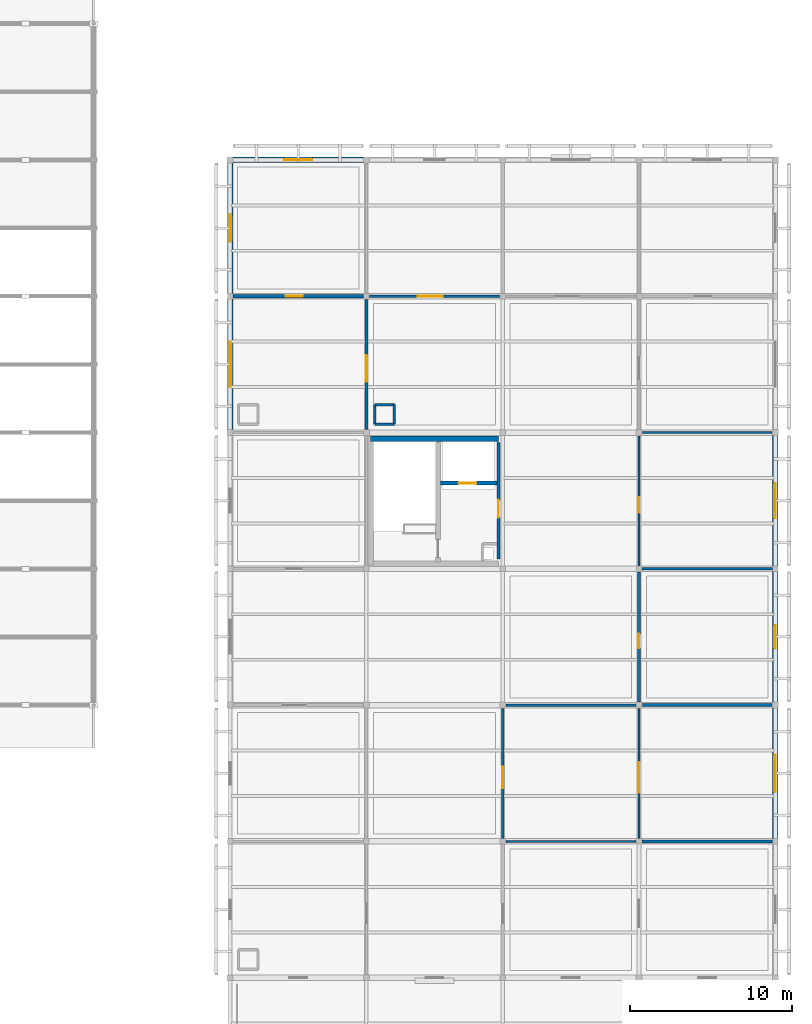
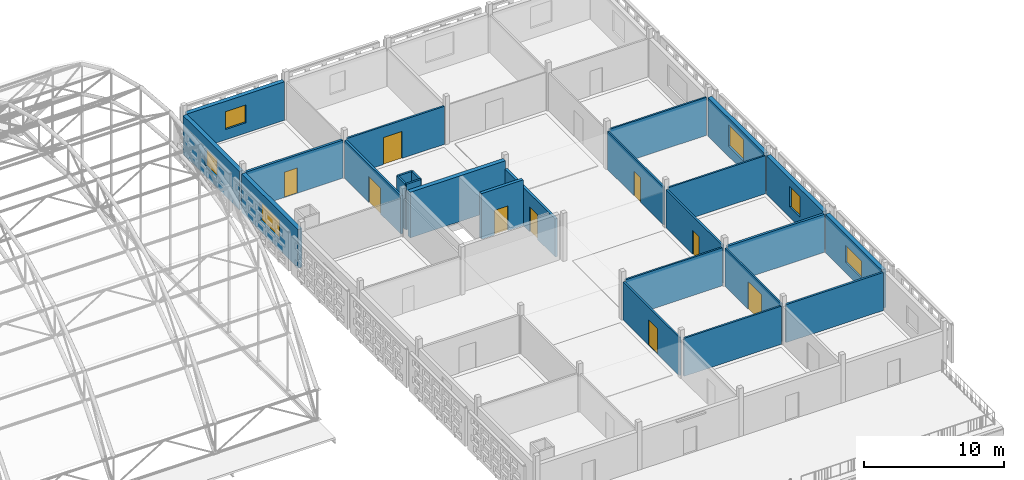
# One storey, part 75 of 103: 26 walls, 9 doors, 6 windows, 15 openings.
"""IFC4 building model written with IfcOpenShell, lengths in metres."""

from ifc_helpers import new_model, si_unit, direction, frame, frame_2d, origin, place, context, subcontext, project, spatial, rectangle, extrude, material, layer, layer_set, type_object, element, fill, save


model = new_model("IFC4")

# Units and contexts
model_context = context("Model", 3, precision=1e-05, world=origin(), true_north=direction((0.0, 1.0)))
body_context = subcontext(model_context, "Body", "Model", "MODEL_VIEW")
ifc_project = project(units=[si_unit("LENGTHUNIT", "METRE"), si_unit("AREAUNIT", "SQUARE_METRE"), si_unit("VOLUMEUNIT", "CUBIC_METRE"), si_unit("PLANEANGLEUNIT", "RADIAN"), si_unit("MASSUNIT", "GRAM", prefix="KILO")], contexts=[model_context])

# Site, building, storey
site_placement = place(None, origin())
site = spatial("IfcSite", under=ifc_project, at=site_placement, CompositionType="ELEMENT")
building_placement = place(site_placement, origin())
building = spatial("IfcBuilding", under=site, at=building_placement, Name="Varnapada Polytechnic", CompositionType="ELEMENT")
storey_placement = place(building_placement, frame((0.0, 0.0, 18.0)))
storey = spatial("IfcBuildingStorey", under=building, at=storey_placement, Name="L04", CompositionType="ELEMENT", Elevation=18.0)

# Wall, opening, door
ifc_material_1 = material(Name="Autoclaved Aerated Concrete Block AAC-600", Category="concrete")
ifc_layer_1 = layer(ifc_material_1, 0.199951171875)
ifc_layer_set_1 = layer_set([ifc_layer_1], Name="Autoclaved Aerated Concrete Block AAC-600")
wall_type_1 = type_object("IfcWallType", Name="Interior Wall IW-01", PredefinedType="PARTITIONING", material=ifc_layer_set_1)
wall_1_placement = place(storey_placement, frame((159.340087890625, 100.199951171875, 0.0), z_axis=(0.0, 0.0, 1.0), x_axis=(0.0, -1.0, 0.0)))
wall_1 = element("IfcWall", 1, at=wall_1_placement, inside=storey, type_object=wall_type_1, Name="L04 C5 firefighting lobby east wall", PredefinedType="PARTITIONING", context=body_context, shape_type="SweptSolid", body=[
    extrude(rectangle(XDim=7.199951171875, YDim=0.199951171875, at=frame_2d((3.60009765625, 0.0))), origin(), (0.0, 0.0, 1.0), 3.320068359375),
])
opening_1_placement = place(wall_1_placement, frame((3.550048828125, 0.0, 0.0)))
opening_1 = element("IfcOpeningElement", 2, at=opening_1_placement, cuts=wall_1, Name="Opening D-1265", PredefinedType="OPENING", context=body_context, shape_type="SweptSolid", body=[
    extrude(rectangle(XDim=1.10009765625, YDim=2.14990234375, at=frame_2d((0.550048828125, 1.074951171875))), frame((0.0, 0.10986328125, 0.0), z_axis=(0.0, -1.0, 0.0), x_axis=(1.0, 0.0, 0.0)), (0.0, 0.0, 1.0), 0.219970703125),
])
ifc_material_2 = material(Name="Galvanized Steel Z275", Category="steel")
door_type_1 = type_object("IfcDoorType", Name="Interior Door ID-01", OperationType="NOTDEFINED", PredefinedType="DOOR", material=ifc_material_2)
door_1_placement = place(opening_1_placement, frame((1.10009765625, 0.0, 0.0), z_axis=(0.0, 0.0, 1.0), x_axis=(-1.0, 0.0, 0.0)))
door_1 = element("IfcDoor", 3, at=door_1_placement, inside=storey, type_object=door_type_1, Name="L04 C5 lobby fire door D-1265", OperationType="SINGLE_SWING_LEFT", OverallHeight=2.14990234375, OverallWidth=1.10009765625, PredefinedType="DOOR", context=body_context, shape_type="SweptSolid", body=[
    extrude(rectangle(XDim=1.10009765625, YDim=2.14990234375, at=frame_2d((0.550048828125, 1.074951171875))), frame((0.0, 0.02490234375, 0.0), z_axis=(0.0, -1.0, 0.0), x_axis=(1.0, 0.0, 0.0)), (0.0, 0.0, 1.0), 0.050048828125),
])
fill(opening_1, door_1)

# Walls
ifc_layer_2 = layer(ifc_material_1, 0.14990234375)
ifc_layer_set_2 = layer_set([ifc_layer_2], Name="Autoclaved Aerated Concrete Block AAC-600")
wall_type_2 = type_object("IfcWallType", Name="Interior Wall IW-02", PredefinedType="PARTITIONING", material=ifc_layer_set_2)
for number, where, z_axis, x_axis, name in (
    (4, (151.719970703125, 101.320068359375, 0.0), (0.0, 0.0, 1.0), (1.0, 0.0, 0.0), "L04 enclosed service riser wall (19,13) S"),
    (5, (152.919921875, 101.320068359375, 0.0), (0.0, 0.0, 1.0), (0.0, 1.0, 0.0), "L04 enclosed service riser wall (19,13) E"),
    (6, (152.919921875, 102.52001953125, 0.0), (0.0, 0.0, 1.0), (-1.0, 0.0, 0.0), "L04 enclosed service riser wall (19,13) N"),
    (7, (151.719970703125, 102.52001953125, 0.0), (0.0, 0.0, 1.0), (0.0, -1.0, 0.0), "L04 enclosed service riser wall (19,13) W"),
):
    element("IfcWall", number, at=place(storey_placement, frame(where, z_axis=z_axis, x_axis=x_axis)), inside=storey, type_object=wall_type_2, Name=name, PredefinedType="PARTITIONING", context=body_context, shape_type="SweptSolid", body=[
        extrude(rectangle(XDim=1.199951171875, YDim=0.14990234375, at=frame_2d((0.60009765625, 0.0))), origin(), (0.0, 0.0, 1.0), 3.97998046875),
    ])
wall_2_placement = place(storey_placement, frame((159.7900390625, 75.60009765625, 0.0), z_axis=(0.0, 0.0, 1.0), x_axis=(1.0, 0.0, 0.0)))
element("IfcWall", 8, at=wall_2_placement, inside=storey, type_object=wall_type_2, Name="L04 interior partition IW-L04-19-08-H", PredefinedType="PARTITIONING", context=body_context, shape_type="SweptSolid", body=[
    extrude(rectangle(XDim=8.02001953125, YDim=0.14990234375, at=frame_2d((4.010009765625, 0.0))), origin(), (0.0, 0.0, 1.0), 3.320068359375),
])

# Wall, opening, door
ifc_material_3 = material(Name="Gypsum Plasterboard Acoustic Partition")
ifc_layer_3 = layer(ifc_material_3, 0.125)
ifc_layer_set_3 = layer_set([ifc_layer_3], Name="Gypsum Plasterboard Acoustic Partition")
wall_type_3 = type_object("IfcWallType", Name="Interior Wall IW-03", PredefinedType="PARTITIONING", material=ifc_layer_set_3)
wall_3_placement = place(storey_placement, frame((168.0, 75.7900390625, 0.0), z_axis=(0.0, 0.0, 1.0), x_axis=(0.0, 1.0, 0.0)))
wall_3 = element("IfcWall", 9, at=wall_3_placement, inside=storey, type_object=wall_type_3, Name="L04 interior partition IW-L04-19-09-V", PredefinedType="PARTITIONING", context=body_context, shape_type="SweptSolid", body=[
    extrude(rectangle(XDim=8.010009765625, YDim=0.125, at=frame_2d((4.0048828125, 0.0))), origin(), (0.0, 0.0, 1.0), 3.320068359375),
])
opening_2_placement = place(wall_3_placement, frame((2.800048828125, 0.0, 0.0)))
opening_2 = element("IfcOpeningElement", 10, at=opening_2_placement, cuts=wall_3, Name="Opening D-1304", PredefinedType="OPENING", context=body_context, shape_type="SweptSolid", body=[
    extrude(rectangle(XDim=1.89990234375, YDim=2.39990234375, at=frame_2d((0.949951171875, 1.199951171875))), frame((0.0, 0.072509765625, 0.0), z_axis=(0.0, -1.0, 0.0), x_axis=(1.0, 0.0, 0.0)), (0.0, 0.0, 1.0), 0.14501953125),
])
ifc_material_4 = material(Name="Heavy Workshop Double Steel Door", Category="steel")
door_type_2 = type_object("IfcDoorType", Name="Interior Door ID-14", OperationType="NOTDEFINED", PredefinedType="DOOR", material=ifc_material_4)
door_2_placement = place(opening_2_placement, frame((1.89990234375, 0.0, 0.0), z_axis=(0.0, 0.0, 1.0), x_axis=(-1.0, 0.0, 0.0)))
door_2 = element("IfcDoor", 11, at=door_2_placement, inside=storey, type_object=door_type_2, Name="L04 interior room door D-1304", OperationType="SINGLE_SWING_LEFT", OverallHeight=2.39990234375, OverallWidth=1.89990234375, PredefinedType="DOOR", context=body_context, shape_type="SweptSolid", body=[
    extrude(rectangle(XDim=1.89990234375, YDim=2.39990234375, at=frame_2d((0.949951171875, 1.199951171875))), frame((0.0, 0.02490234375, 0.0), z_axis=(0.0, -1.0, 0.0), x_axis=(1.0, 0.0, 0.0)), (0.0, 0.0, 1.0), 0.050048828125),
])
fill(opening_2, door_2)

# Wall
ifc_material_5 = material(Name="Moisture-Resistant Cement Board Partition")
ifc_layer_4 = layer(ifc_material_5, 0.139892578125)
ifc_layer_set_4 = layer_set([ifc_layer_4], Name="Moisture-Resistant Cement Board Partition")
wall_type_4 = type_object("IfcWallType", Name="Interior Wall IW-04", PredefinedType="PARTITIONING", material=ifc_layer_set_4)
wall_4_placement = place(storey_placement, frame((159.800048828125, 84.0, 0.0), z_axis=(0.0, 0.0, 1.0), x_axis=(1.0, 0.0, 0.0)))
element("IfcWall", 12, at=wall_4_placement, inside=storey, type_object=wall_type_4, Name="L04 interior partition IW-L04-19-09-H", PredefinedType="PARTITIONING", context=body_context, shape_type="SweptSolid", body=[
    extrude(rectangle(XDim=8.0, YDim=0.139892578125, at=frame_2d((4.0, 0.0))), origin(), (0.0, 0.0, 1.0), 3.320068359375),
])

# Wall, opening, door
wall_5_placement = place(storey_placement, frame((168.0, 92.590087890625, 0.0), z_axis=(0.0, 0.0, 1.0), x_axis=(0.0, 1.0, 0.0)))
wall_5 = element("IfcWall", 13, at=wall_5_placement, inside=storey, type_object=wall_type_4, Name="L04 interior partition IW-L04-19-11-V", PredefinedType="PARTITIONING", context=body_context, shape_type="SweptSolid", body=[
    extrude(rectangle(XDim=8.010009765625, YDim=0.139892578125, at=frame_2d((4.0048828125, 0.0))), origin(), (0.0, 0.0, 1.0), 3.320068359375),
])
opening_3_placement = place(wall_5_placement, frame((3.27490234375, 0.0, 0.0)))
opening_3 = element("IfcOpeningElement", 14, at=opening_3_placement, cuts=wall_5, Name="Opening D-1306", PredefinedType="OPENING", context=body_context, shape_type="SweptSolid", body=[
    extrude(rectangle(XDim=0.949951171875, YDim=2.14990234375, at=frame_2d((0.47509765625, 1.074951171875))), frame((0.0, 0.079833984375, 0.0), z_axis=(0.0, -1.0, 0.0), x_axis=(1.0, 0.0, 0.0)), (0.0, 0.0, 1.0), 0.159912109375),
])
ifc_material_6 = material(Name="Moisture-Resistant HPL Timber", Category="wood")
door_type_3 = type_object("IfcDoorType", Name="Interior Door ID-03", OperationType="NOTDEFINED", PredefinedType="DOOR", material=ifc_material_6)
door_3_placement = place(opening_3_placement, origin())
door_3 = element("IfcDoor", 15, at=door_3_placement, inside=storey, type_object=door_type_3, Name="L04 interior room door D-1306", OperationType="SINGLE_SWING_LEFT", OverallHeight=2.14990234375, OverallWidth=0.949951171875, PredefinedType="DOOR", context=body_context, shape_type="SweptSolid", body=[
    extrude(rectangle(XDim=0.949951171875, YDim=2.14990234375, at=frame_2d((0.47509765625, 1.074951171875))), frame((0.0, 0.02490234375, 0.0), z_axis=(0.0, -1.0, 0.0), x_axis=(1.0, 0.0, 0.0)), (0.0, 0.0, 1.0), 0.050048828125),
])
fill(opening_3, door_3)

# Walls
wall_6_placement = place(storey_placement, frame((168.18994140625, 92.39990234375, 0.0), z_axis=(0.0, 0.0, 1.0), x_axis=(1.0, 0.0, 0.0)))
element("IfcWall", 16, at=wall_6_placement, inside=storey, type_object=wall_type_4, Name="L04 interior partition IW-L04-20-10-H", PredefinedType="PARTITIONING", context=body_context, shape_type="SweptSolid", body=[
    extrude(rectangle(XDim=8.02001953125, YDim=0.139892578125, at=frame_2d((4.010009765625, 0.0))), origin(), (0.0, 0.0, 1.0), 3.320068359375),
])
wall_7_placement = place(storey_placement, frame((168.199951171875, 100.800048828125, 0.0), z_axis=(0.0, 0.0, 1.0), x_axis=(1.0, 0.0, 0.0)))
element("IfcWall", 17, at=wall_7_placement, inside=storey, type_object=wall_type_4, Name="L04 interior partition IW-L04-20-11-H", PredefinedType="PARTITIONING", context=body_context, shape_type="SweptSolid", body=[
    extrude(rectangle(XDim=8.0, YDim=0.139892578125, at=frame_2d((4.0, 0.0))), origin(), (0.0, 0.0, 1.0), 3.320068359375),
])

# Wall, opening, door
ifc_material_7 = material(Name="Cross-laminated timber CLT C24", Category="wood")
ifc_layer_5 = layer(ifc_material_7, 0.159912109375)
ifc_layer_set_5 = layer_set([ifc_layer_5], Name="Cross-laminated timber CLT C24")
wall_type_5 = type_object("IfcWallType", Name="Interior Wall IW-05", PredefinedType="PARTITIONING", material=ifc_layer_set_5)
wall_8_placement = place(storey_placement, frame((168.0, 84.199951171875, 0.0), z_axis=(0.0, 0.0, 1.0), x_axis=(0.0, 1.0, 0.0)))
wall_8 = element("IfcWall", 18, at=wall_8_placement, inside=storey, type_object=wall_type_5, Name="L04 interior partition IW-L04-19-10-V", PredefinedType="PARTITIONING", context=body_context, shape_type="SweptSolid", body=[
    extrude(rectangle(XDim=8.010009765625, YDim=0.159912109375, at=frame_2d((4.0048828125, 0.0))), origin(), (0.0, 0.0, 1.0), 3.320068359375),
])
opening_4_placement = place(wall_8_placement, frame((3.300048828125, 0.0, 0.0)))
opening_4 = element("IfcOpeningElement", 19, at=opening_4_placement, cuts=wall_8, Name="Opening D-1305", PredefinedType="OPENING", context=body_context, shape_type="SweptSolid", body=[
    extrude(rectangle(XDim=0.89990234375, YDim=2.10009765625, at=frame_2d((0.449951171875, 1.050048828125))), frame((0.0, 0.08984375, 0.0), z_axis=(0.0, -1.0, 0.0), x_axis=(1.0, 0.0, 0.0)), (0.0, 0.0, 1.0), 0.179931640625),
])
door_type_4 = type_object("IfcDoorType", Name="Interior Door ID-15", OperationType="NOTDEFINED", PredefinedType="DOOR", material=ifc_material_6)
door_4_placement = place(opening_4_placement, origin())
door_4 = element("IfcDoor", 20, at=door_4_placement, inside=storey, type_object=door_type_4, Name="L04 interior room door D-1305", OperationType="SINGLE_SWING_RIGHT", OverallHeight=2.10009765625, OverallWidth=0.89990234375, PredefinedType="DOOR", context=body_context, shape_type="SweptSolid", body=[
    extrude(rectangle(XDim=0.89990234375, YDim=2.10009765625, at=frame_2d((0.449951171875, 1.050048828125))), frame((0.0, 0.02490234375, 0.0), z_axis=(0.0, -1.0, 0.0), x_axis=(1.0, 0.0, 0.0)), (0.0, 0.0, 1.0), 0.050048828125),
])
fill(opening_4, door_4)

ifc_material_8 = material(Name="Double-Layer Fireboard Workshop Wall")
ifc_layer_6 = layer(ifc_material_8, 0.169921875)
ifc_layer_set_6 = layer_set([ifc_layer_6], Name="Double-Layer Fireboard Workshop Wall")
wall_type_6 = type_object("IfcWallType", Name="Interior Wall IW-10", PredefinedType="PARTITIONING", material=ifc_layer_set_6)
wall_9_placement = place(storey_placement, frame((151.199951171875, 101.0, 0.0), z_axis=(0.0, 0.0, 1.0), x_axis=(0.0, 1.0, 0.0)))
wall_9 = element("IfcWall", 21, at=wall_9_placement, inside=storey, type_object=wall_type_6, Name="L04 interior partition IW-L04-17-12-V", PredefinedType="PARTITIONING", context=body_context, shape_type="SweptSolid", body=[
    extrude(rectangle(XDim=8.010009765625, YDim=0.169921875, at=frame_2d((4.0048828125, 0.0))), origin(), (0.0, 0.0, 1.0), 3.320068359375),
])
opening_5_placement = place(wall_9_placement, frame((2.925048828125, 0.0, 0.0)))
opening_5 = element("IfcOpeningElement", 22, at=opening_5_placement, cuts=wall_9, Name="Opening D-1298", PredefinedType="OPENING", context=body_context, shape_type="SweptSolid", body=[
    extrude(rectangle(XDim=1.64990234375, YDim=2.25, at=frame_2d((0.824951171875, 1.125))), frame((0.0, 0.094970703125, 0.0), z_axis=(0.0, -1.0, 0.0), x_axis=(1.0, 0.0, 0.0)), (0.0, 0.0, 1.0), 0.18994140625),
])
ifc_material_9 = material(Name="Solid Teak Hardwood Timber", Category="wood")
door_type_5 = type_object("IfcDoorType", Name="Interior Door ID-08", OperationType="NOTDEFINED", PredefinedType="DOOR", material=ifc_material_9)
door_5_placement = place(opening_5_placement, frame((1.64990234375, 0.0, 0.0), z_axis=(0.0, 0.0, 1.0), x_axis=(-1.0, 0.0, 0.0)))
door_5 = element("IfcDoor", 23, at=door_5_placement, inside=storey, type_object=door_type_5, Name="L04 interior room door D-1298", OperationType="SINGLE_SWING_LEFT", OverallHeight=2.25, OverallWidth=1.64990234375, PredefinedType="DOOR", context=body_context, shape_type="SweptSolid", body=[
    extrude(rectangle(XDim=1.64990234375, YDim=2.25, at=frame_2d((0.824951171875, 1.125))), frame((0.0, 0.02490234375, 0.0), z_axis=(0.0, -1.0, 0.0), x_axis=(1.0, 0.0, 0.0)), (0.0, 0.0, 1.0), 0.050048828125),
])
fill(opening_5, door_5)

# Wall
wall_10_placement = place(storey_placement, frame((168.18994140625, 75.60009765625, 0.0), z_axis=(0.0, 0.0, 1.0), x_axis=(1.0, 0.0, 0.0)))
element("IfcWall", 24, at=wall_10_placement, inside=storey, type_object=wall_type_6, Name="L04 interior partition IW-L04-20-08-H", PredefinedType="PARTITIONING", context=body_context, shape_type="SweptSolid", body=[
    extrude(rectangle(XDim=8.02001953125, YDim=0.169921875, at=frame_2d((4.010009765625, 0.0))), origin(), (0.0, 0.0, 1.0), 3.320068359375),
])

# Wall, opening, door
ifc_material_10 = material(Name="Insulated Masonry Plant Room Wall", Category="masonry")
ifc_layer_7 = layer(ifc_material_10, 0.18994140625)
ifc_layer_set_7 = layer_set([ifc_layer_7], Name="Insulated Masonry Plant Room Wall")
wall_type_7 = type_object("IfcWallType", Name="Interior Wall IW-11", PredefinedType="PARTITIONING", material=ifc_layer_set_7)
wall_11_placement = place(storey_placement, frame((142.989990234375, 109.199951171875, 0.0), z_axis=(0.0, 0.0, 1.0), x_axis=(1.0, 0.0, 0.0)))
wall_11 = element("IfcWall", 25, at=wall_11_placement, inside=storey, type_object=wall_type_7, Name="L04 interior partition IW-L04-17-12-H", PredefinedType="PARTITIONING", context=body_context, shape_type="SweptSolid", body=[
    extrude(rectangle(XDim=8.02001953125, YDim=0.18994140625, at=frame_2d((4.010009765625, 0.0))), origin(), (0.0, 0.0, 1.0), 3.320068359375),
])
opening_6_placement = place(wall_11_placement, frame((3.22509765625, 0.0, 0.0)))
opening_6 = element("IfcOpeningElement", 26, at=opening_6_placement, cuts=wall_11, Name="Opening D-1299", PredefinedType="OPENING", context=body_context, shape_type="SweptSolid", body=[
    extrude(rectangle(XDim=1.050048828125, YDim=2.199951171875, at=frame_2d((0.52490234375, 1.10009765625))), frame((0.0, 0.10498046875, 0.0), z_axis=(0.0, -1.0, 0.0), x_axis=(1.0, 0.0, 0.0)), (0.0, 0.0, 1.0), 0.2099609375),
])
door_type_6 = type_object("IfcDoorType", Name="Interior Door ID-09", OperationType="NOTDEFINED", PredefinedType="DOOR", material=ifc_material_9)
door_6_placement = place(opening_6_placement, origin())
door_6 = element("IfcDoor", 27, at=door_6_placement, inside=storey, type_object=door_type_6, Name="L04 interior room door D-1299", OperationType="SINGLE_SWING_RIGHT", OverallHeight=2.199951171875, OverallWidth=1.050048828125, PredefinedType="DOOR", context=body_context, shape_type="SweptSolid", body=[
    extrude(rectangle(XDim=1.050048828125, YDim=2.199951171875, at=frame_2d((0.52490234375, 1.10009765625))), frame((0.0, 0.02490234375, 0.0), z_axis=(0.0, -1.0, 0.0), x_axis=(1.0, 0.0, 0.0)), (0.0, 0.0, 1.0), 0.050048828125),
])
fill(opening_6, door_6)

# Wall
wall_12_placement = place(storey_placement, frame((168.199951171875, 84.0, 0.0), z_axis=(0.0, 0.0, 1.0), x_axis=(1.0, 0.0, 0.0)))
element("IfcWall", 28, at=wall_12_placement, inside=storey, type_object=wall_type_7, Name="L04 interior partition IW-L04-20-09-H", PredefinedType="PARTITIONING", context=body_context, shape_type="SweptSolid", body=[
    extrude(rectangle(XDim=8.0, YDim=0.18994140625, at=frame_2d((4.0, 0.0))), origin(), (0.0, 0.0, 1.0), 3.320068359375),
])

# Wall, opening, door
ifc_material_11 = material(Name="Ceramic-Tiled Wet Laboratory Wall")
ifc_layer_8 = layer(ifc_material_11, 0.14501953125)
ifc_layer_set_8 = layer_set([ifc_layer_8], Name="Ceramic-Tiled Wet Laboratory Wall")
wall_type_8 = type_object("IfcWallType", Name="Interior Wall IW-14", PredefinedType="PARTITIONING", material=ifc_layer_set_8)
wall_13_placement = place(storey_placement, frame((159.60009765625, 75.7900390625, 0.0), z_axis=(0.0, 0.0, 1.0), x_axis=(0.0, 1.0, 0.0)))
wall_13 = element("IfcWall", 29, at=wall_13_placement, inside=storey, type_object=wall_type_8, Name="L04 interior partition IW-L04-18-09-V", PredefinedType="PARTITIONING", context=body_context, shape_type="SweptSolid", body=[
    extrude(rectangle(XDim=8.010009765625, YDim=0.14501953125, at=frame_2d((4.0048828125, 0.0))), origin(), (0.0, 0.0, 1.0), 3.320068359375),
])
opening_7_placement = place(wall_13_placement, frame((3.10009765625, 0.0, 0.0)))
opening_7 = element("IfcOpeningElement", 30, at=opening_7_placement, cuts=wall_13, Name="Opening D-1301", PredefinedType="OPENING", context=body_context, shape_type="SweptSolid", body=[
    extrude(rectangle(XDim=1.300048828125, YDim=2.199951171875, at=frame_2d((0.64990234375, 1.10009765625))), frame((0.0, 0.08251953125, 0.0), z_axis=(0.0, -1.0, 0.0), x_axis=(1.0, 0.0, 0.0)), (0.0, 0.0, 1.0), 0.1650390625),
])
ifc_material_12 = material(Name="Acoustic Laminated Timber Leaf", Category="wood")
door_type_7 = type_object("IfcDoorType", Name="Interior Door ID-11", OperationType="NOTDEFINED", PredefinedType="DOOR", material=ifc_material_12)
door_7_placement = place(opening_7_placement, frame((1.300048828125, 0.0, 0.0), z_axis=(0.0, 0.0, 1.0), x_axis=(-1.0, 0.0, 0.0)))
door_7 = element("IfcDoor", 31, at=door_7_placement, inside=storey, type_object=door_type_7, Name="L04 interior room door D-1301", OperationType="SINGLE_SWING_RIGHT", OverallHeight=2.199951171875, OverallWidth=1.300048828125, PredefinedType="DOOR", context=body_context, shape_type="SweptSolid", body=[
    extrude(rectangle(XDim=1.300048828125, YDim=2.199951171875, at=frame_2d((0.64990234375, 1.10009765625))), frame((0.0, 0.02490234375, 0.0), z_axis=(0.0, -1.0, 0.0), x_axis=(1.0, 0.0, 0.0)), (0.0, 0.0, 1.0), 0.050048828125),
])
fill(opening_7, door_7)

ifc_material_13 = material(Name="Perforated Timber-Lined Seminar Wall", Category="wood")
ifc_layer_9 = layer(ifc_material_13, 0.155029296875)
ifc_layer_set_9 = layer_set([ifc_layer_9], Name="Perforated Timber-Lined Seminar Wall")
wall_type_9 = type_object("IfcWallType", Name="Interior Wall IW-15", PredefinedType="PARTITIONING", material=ifc_layer_set_9)
wall_14_placement = place(storey_placement, frame((151.389892578125, 109.199951171875, 0.0), z_axis=(0.0, 0.0, 1.0), x_axis=(1.0, 0.0, 0.0)))
wall_14 = element("IfcWall", 32, at=wall_14_placement, inside=storey, type_object=wall_type_9, Name="L04 interior partition IW-L04-18-12-H", PredefinedType="PARTITIONING", context=body_context, shape_type="SweptSolid", body=[
    extrude(rectangle(XDim=8.02001953125, YDim=0.155029296875, at=frame_2d((4.010009765625, 0.0))), origin(), (0.0, 0.0, 1.0), 3.320068359375),
])
opening_8_placement = place(wall_14_placement, frame((2.97509765625, 0.0, 0.0)))
opening_8 = element("IfcOpeningElement", 33, at=opening_8_placement, cuts=wall_14, Name="Opening D-1302", PredefinedType="OPENING", context=body_context, shape_type="SweptSolid", body=[
    extrude(rectangle(XDim=1.550048828125, YDim=2.35009765625, at=frame_2d((0.77490234375, 1.175048828125))), frame((0.0, 0.08740234375, 0.0), z_axis=(0.0, -1.0, 0.0), x_axis=(1.0, 0.0, 0.0)), (0.0, 0.0, 1.0), 0.175048828125),
])
door_type_8 = type_object("IfcDoorType", Name="Interior Door ID-12", OperationType="NOTDEFINED", PredefinedType="DOOR", material=ifc_material_2)
door_8_placement = place(opening_8_placement, origin())
door_8 = element("IfcDoor", 34, at=door_8_placement, inside=storey, type_object=door_type_8, Name="L04 interior room door D-1302", OperationType="SINGLE_SWING_LEFT", OverallHeight=2.35009765625, OverallWidth=1.550048828125, PredefinedType="DOOR", context=body_context, shape_type="SweptSolid", body=[
    extrude(rectangle(XDim=1.550048828125, YDim=2.35009765625, at=frame_2d((0.77490234375, 1.175048828125))), frame((0.0, 0.02490234375, 0.0), z_axis=(0.0, -1.0, 0.0), x_axis=(1.0, 0.0, 0.0)), (0.0, 0.0, 1.0), 0.050048828125),
])
fill(opening_8, door_8)

# Wall
ifc_material_14 = material(Name="Concrete C40/50", Category="concrete")
ifc_layer_10 = layer(ifc_material_14, 0.35009765625)
ifc_layer_set_10 = layer_set([ifc_layer_10], Name="Concrete C40/50")
wall_type_10 = type_object("IfcWallType", Name="Interior Wall SW-01", PredefinedType="SHEAR", material=ifc_layer_set_10)
wall_15_placement = place(storey_placement, frame((151.465087890625, 100.419921875, 0.0), z_axis=(0.0, 0.0, 1.0), x_axis=(1.0, 0.0, 0.0)))
element("IfcWall", 35, at=wall_15_placement, inside=storey, type_object=wall_type_10, Name="L04 C5 core north shear wall", PredefinedType="SHEAR", context=body_context, shape_type="SweptSolid", body=[
    extrude(rectangle(XDim=7.875, YDim=0.35009765625, at=frame_2d((3.9375, 0.0))), origin(), (0.0, 0.0, 1.0), 3.97998046875),
])

# Wall, opening, door
ifc_layer_11 = layer(ifc_material_14, 0.25)
ifc_layer_set_11 = layer_set([ifc_layer_11], Name="Concrete C40/50")
wall_type_11 = type_object("IfcWallType", Name="Interior Wall SW-05", PredefinedType="SHEAR", material=ifc_layer_set_11)
wall_16_placement = place(storey_placement, frame((155.780029296875, 97.679931640625, 0.0), z_axis=(0.0, 0.0, 1.0), x_axis=(1.0, 0.0, 0.0)))
wall_16 = element("IfcWall", 36, at=wall_16_placement, inside=storey, type_object=wall_type_11, Name="L04 C5 lift shaft front wall", PredefinedType="SHEAR", context=body_context, shape_type="SweptSolid", body=[
    extrude(rectangle(XDim=3.4599609375, YDim=0.25, at=frame_2d((1.72998046875, 0.0))), origin(), (0.0, 0.0, 1.0), 3.97998046875),
])
opening_9_placement = place(wall_16_placement, frame((1.10009765625, 0.0, 0.0)))
opening_9 = element("IfcOpeningElement", 37, at=opening_9_placement, cuts=wall_16, Name="Opening LD-033", PredefinedType="OPENING", context=body_context, shape_type="SweptSolid", body=[
    extrude(rectangle(XDim=1.10009765625, YDim=2.14990234375, at=frame_2d((0.550048828125, 1.074951171875))), frame((0.0, 0.135009765625, 0.0), z_axis=(0.0, -1.0, 0.0), x_axis=(1.0, 0.0, 0.0)), (0.0, 0.0, 1.0), 0.27001953125),
])
ifc_material_15 = material(Name="Brushed Stainless Steel 316", Category="steel")
door_type_9 = type_object("IfcDoorType", Name="Interior Door LD-01", OperationType="NOTDEFINED", PredefinedType="DOOR", material=ifc_material_15)
door_9_placement = place(opening_9_placement, origin())
door_9 = element("IfcDoor", 38, at=door_9_placement, inside=storey, type_object=door_type_9, Name="L04 LFT-05 sliding lift landing door LD-033", OperationType="DOUBLE_DOOR_SLIDING", OverallHeight=2.14990234375, OverallWidth=1.10009765625, PredefinedType="DOOR", context=body_context, shape_type="SweptSolid", body=[
    extrude(rectangle(XDim=1.10009765625, YDim=2.14990234375, at=frame_2d((0.550048828125, 1.074951171875))), frame((0.0, 0.02490234375, 0.0), z_axis=(0.0, -1.0, 0.0), x_axis=(1.0, 0.0, 0.0)), (0.0, 0.0, 1.0), 0.050048828125),
])
fill(opening_9, door_9)

# Wall, opening, window
ifc_material_16 = material(Name="Precast concrete C40/50", Category="concrete")
ifc_layer_12 = layer(ifc_material_16, 0.340087890625)
ifc_layer_set_12 = layer_set([ifc_layer_12], Name="Precast concrete C40/50")
wall_type_12 = type_object("IfcWallType", Name="Wall EW-07", PredefinedType="SOLIDWALL", material=ifc_layer_set_12)
wall_17_placement = place(storey_placement, frame((142.800048828125, 100.97998046875, 0.0), z_axis=(0.0, 0.0, 1.0), x_axis=(0.0, 1.0, 0.0)))
wall_17 = element("IfcWall", 39, at=wall_17_placement, inside=storey, type_object=wall_type_12, Name="L04 exterior wall EW-07 (46)", PredefinedType="SOLIDWALL", context=body_context, shape_type="SweptSolid", body=[
    extrude(rectangle(XDim=8.050048828125, YDim=0.340087890625, at=frame_2d((4.02490234375, 0.0))), origin(), (0.0, 0.0, 1.0), 3.360107421875),
])
opening_10_placement = place(wall_17_placement, frame((2.625, 0.0, 0.89990234375)))
opening_10 = element("IfcOpeningElement", 40, at=opening_10_placement, cuts=wall_17, Name="Opening WN-13", PredefinedType="OPENING", context=body_context, shape_type="SweptSolid", body=[
    extrude(rectangle(XDim=2.800048828125, YDim=1.64990234375, at=frame_2d((1.39990234375, 0.824951171875))), frame((0.0, 0.179931640625, 0.0), z_axis=(0.0, -1.0, 0.0), x_axis=(1.0, 0.0, 0.0)), (0.0, 0.0, 1.0), 0.360107421875),
])
ifc_material_17 = material(Name="Double low-E laminated glass", Category="glass")
window_type_1 = type_object("IfcWindowType", Name="Window WN-13", PartitioningType="SINGLE_PANEL", PredefinedType="WINDOW", material=ifc_material_17)
window_1_placement = place(opening_10_placement, origin())
window_1 = element("IfcWindow", 41, at=window_1_placement, inside=storey, type_object=window_type_1, Name="L04 window WN-13 (219)", OverallHeight=1.64990234375, OverallWidth=2.800048828125, PartitioningType="SINGLE_PANEL", PredefinedType="WINDOW", context=body_context, shape_type="SweptSolid", body=[
    extrude(rectangle(XDim=2.800048828125, YDim=1.64990234375, at=frame_2d((1.39990234375, 0.824951171875))), frame((0.0, 0.030029296875, 0.0), z_axis=(0.0, -1.0, 0.0), x_axis=(1.0, 0.0, 0.0)), (0.0, 0.0, 1.0), 0.06005859375),
])
fill(opening_10, window_1)

wall_18_placement = place(storey_placement, frame((142.97998046875, 117.60009765625, 0.0), z_axis=(0.0, 0.0, 1.0), x_axis=(1.0, 0.0, 0.0)))
wall_18 = element("IfcWall", 42, at=wall_18_placement, inside=storey, type_object=wall_type_12, Name="L04 exterior wall EW-07 (47)", PredefinedType="SOLIDWALL", context=body_context, shape_type="SweptSolid", body=[
    extrude(rectangle(XDim=8.0400390625, YDim=0.340087890625, at=frame_2d((4.02001953125, 0.0))), origin(), (0.0, 0.0, 1.0), 3.360107421875),
])
opening_11_placement = place(wall_18_placement, frame((3.169921875, 0.0, 0.89990234375)))
opening_11 = element("IfcOpeningElement", 43, at=opening_11_placement, cuts=wall_18, Name="Opening WN-16", PredefinedType="OPENING", context=body_context, shape_type="SweptSolid", body=[
    extrude(rectangle(XDim=1.699951171875, YDim=1.550048828125, at=frame_2d((0.85009765625, 0.77490234375))), frame((0.0, 0.179931640625, 0.0), z_axis=(0.0, -1.0, 0.0), x_axis=(1.0, 0.0, 0.0)), (0.0, 0.0, 1.0), 0.360107421875),
])
window_type_2 = type_object("IfcWindowType", Name="Window WN-16", PartitioningType="SINGLE_PANEL", PredefinedType="WINDOW", material=ifc_material_17)
window_2_placement = place(opening_11_placement, origin())
window_2 = element("IfcWindow", 44, at=window_2_placement, inside=storey, type_object=window_type_2, Name="L04 window WN-16 (220)", OverallHeight=1.550048828125, OverallWidth=1.699951171875, PartitioningType="SINGLE_PANEL", PredefinedType="WINDOW", context=body_context, shape_type="SweptSolid", body=[
    extrude(rectangle(XDim=1.699951171875, YDim=1.550048828125, at=frame_2d((0.85009765625, 0.77490234375))), frame((0.0, 0.030029296875, 0.0), z_axis=(0.0, -1.0, 0.0), x_axis=(1.0, 0.0, 0.0)), (0.0, 0.0, 1.0), 0.06005859375),
])
fill(opening_11, window_2)

wall_19_placement = place(storey_placement, frame((142.800048828125, 109.3701171875, 0.0), z_axis=(0.0, 0.0, 1.0), x_axis=(0.0, 1.0, 0.0)))
wall_19 = element("IfcWall", 45, at=wall_19_placement, inside=storey, type_object=wall_type_12, Name="L04 exterior wall EW-07 (48)", PredefinedType="SOLIDWALL", context=body_context, shape_type="SweptSolid", body=[
    extrude(rectangle(XDim=8.0498046875, YDim=0.340087890625, at=frame_2d((4.02490234375, 0.0))), origin(), (0.0, 0.0, 1.0), 3.360107421875),
])
opening_12_placement = place(wall_19_placement, frame((3.175048828125, 0.0, 0.89990234375)))
opening_12 = element("IfcOpeningElement", 46, at=opening_12_placement, cuts=wall_19, Name="Opening WN-16", PredefinedType="OPENING", context=body_context, shape_type="SweptSolid", body=[
    extrude(rectangle(XDim=1.699951171875, YDim=1.550048828125, at=frame_2d((0.85009765625, 0.77490234375))), frame((0.0, 0.179931640625, 0.0), z_axis=(0.0, -1.0, 0.0), x_axis=(1.0, 0.0, 0.0)), (0.0, 0.0, 1.0), 0.360107421875),
])
window_3_placement = place(opening_12_placement, origin())
window_3 = element("IfcWindow", 47, at=window_3_placement, inside=storey, type_object=window_type_2, Name="L04 window WN-16 (221)", OverallHeight=1.550048828125, OverallWidth=1.699951171875, PartitioningType="SINGLE_PANEL", PredefinedType="WINDOW", context=body_context, shape_type="SweptSolid", body=[
    extrude(rectangle(XDim=1.699951171875, YDim=1.550048828125, at=frame_2d((0.85009765625, 0.77490234375))), frame((0.0, 0.030029296875, 0.0), z_axis=(0.0, -1.0, 0.0), x_axis=(1.0, 0.0, 0.0)), (0.0, 0.0, 1.0), 0.06005859375),
])
fill(opening_12, window_3)

wall_20_placement = place(storey_placement, frame((176.39990234375, 83.820068359375, 0.0), z_axis=(0.0, 0.0, 1.0), x_axis=(0.0, -1.0, 0.0)))
wall_20 = element("IfcWall", 48, at=wall_20_placement, inside=storey, type_object=wall_type_12, Name="L04 exterior wall EW-07 (55)", PredefinedType="SOLIDWALL", context=body_context, shape_type="SweptSolid", body=[
    extrude(rectangle(XDim=8.050048828125, YDim=0.340087890625, at=frame_2d((4.02490234375, 0.0))), origin(), (0.0, 0.0, 1.0), 3.360107421875),
])
opening_13_placement = place(wall_20_placement, frame((2.875, 0.0, 0.89990234375)))
opening_13 = element("IfcOpeningElement", 49, at=opening_13_placement, cuts=wall_20, Name="Opening WN-19", PredefinedType="OPENING", context=body_context, shape_type="SweptSolid", body=[
    extrude(rectangle(XDim=2.300048828125, YDim=1.5, at=frame_2d((1.14990234375, 0.75))), frame((0.0, 0.179931640625, 0.0), z_axis=(0.0, -1.0, 0.0), x_axis=(1.0, 0.0, 0.0)), (0.0, 0.0, 1.0), 0.360107421875),
])
window_type_3 = type_object("IfcWindowType", Name="Window WN-19", PartitioningType="SINGLE_PANEL", PredefinedType="WINDOW", material=ifc_material_17)
window_4_placement = place(opening_13_placement, origin())
window_4 = element("IfcWindow", 50, at=window_4_placement, inside=storey, type_object=window_type_3, Name="L04 window WN-19 (225)", OverallHeight=1.5, OverallWidth=2.300048828125, PartitioningType="SINGLE_PANEL", PredefinedType="WINDOW", context=body_context, shape_type="SweptSolid", body=[
    extrude(rectangle(XDim=2.300048828125, YDim=1.5, at=frame_2d((1.14990234375, 0.75))), frame((0.0, 0.030029296875, 0.0), z_axis=(0.0, -1.0, 0.0), x_axis=(1.0, 0.0, 0.0)), (0.0, 0.0, 1.0), 0.06005859375),
])
fill(opening_13, window_4)

wall_21_placement = place(storey_placement, frame((176.39990234375, 92.22998046875, 0.0), z_axis=(0.0, 0.0, 1.0), x_axis=(0.0, -1.0, 0.0)))
wall_21 = element("IfcWall", 51, at=wall_21_placement, inside=storey, type_object=wall_type_12, Name="L04 exterior wall EW-07 (56)", PredefinedType="SOLIDWALL", context=body_context, shape_type="SweptSolid", body=[
    extrude(rectangle(XDim=8.050048828125, YDim=0.340087890625, at=frame_2d((4.02490234375, 0.0))), origin(), (0.0, 0.0, 1.0), 3.360107421875),
])
opening_14_placement = place(wall_21_placement, frame((3.300048828125, 0.0, 0.89990234375)))
opening_14 = element("IfcOpeningElement", 52, at=opening_14_placement, cuts=wall_21, Name="Opening WN-22", PredefinedType="OPENING", context=body_context, shape_type="SweptSolid", body=[
    extrude(rectangle(XDim=1.449951171875, YDim=1.800048828125, at=frame_2d((0.72509765625, 0.89990234375))), frame((0.0, 0.179931640625, 0.0), z_axis=(0.0, -1.0, 0.0), x_axis=(1.0, 0.0, 0.0)), (0.0, 0.0, 1.0), 0.360107421875),
])
window_type_4 = type_object("IfcWindowType", Name="Window WN-22", PartitioningType="SINGLE_PANEL", PredefinedType="WINDOW", material=ifc_material_17)
window_5_placement = place(opening_14_placement, origin())
window_5 = element("IfcWindow", 53, at=window_5_placement, inside=storey, type_object=window_type_4, Name="L04 window WN-22 (226)", OverallHeight=1.800048828125, OverallWidth=1.449951171875, PartitioningType="SINGLE_PANEL", PredefinedType="WINDOW", context=body_context, shape_type="SweptSolid", body=[
    extrude(rectangle(XDim=1.449951171875, YDim=1.800048828125, at=frame_2d((0.72509765625, 0.89990234375))), frame((0.0, 0.030029296875, 0.0), z_axis=(0.0, -1.0, 0.0), x_axis=(1.0, 0.0, 0.0)), (0.0, 0.0, 1.0), 0.06005859375),
])
fill(opening_14, window_5)

wall_22_placement = place(storey_placement, frame((176.39990234375, 100.6201171875, 0.0), z_axis=(0.0, 0.0, 1.0), x_axis=(0.0, -1.0, 0.0)))
wall_22 = element("IfcWall", 54, at=wall_22_placement, inside=storey, type_object=wall_type_12, Name="L04 exterior wall EW-07 (57)", PredefinedType="SOLIDWALL", context=body_context, shape_type="SweptSolid", body=[
    extrude(rectangle(XDim=8.050048828125, YDim=0.340087890625, at=frame_2d((4.02490234375, 0.0))), origin(), (0.0, 0.0, 1.0), 3.360107421875),
])
opening_15_placement = place(wall_22_placement, frame((2.949951171875, 0.0, 0.89990234375)))
opening_15 = element("IfcOpeningElement", 55, at=opening_15_placement, cuts=wall_22, Name="Opening WN-25", PredefinedType="OPENING", context=body_context, shape_type="SweptSolid", body=[
    extrude(rectangle(XDim=2.14990234375, YDim=1.85009765625, at=frame_2d((1.074951171875, 0.925048828125))), frame((0.0, 0.179931640625, 0.0), z_axis=(0.0, -1.0, 0.0), x_axis=(1.0, 0.0, 0.0)), (0.0, 0.0, 1.0), 0.360107421875),
])
window_type_5 = type_object("IfcWindowType", Name="Window WN-25", PartitioningType="SINGLE_PANEL", PredefinedType="WINDOW", material=ifc_material_17)
window_6_placement = place(opening_15_placement, origin())
window_6 = element("IfcWindow", 56, at=window_6_placement, inside=storey, type_object=window_type_5, Name="L04 window WN-25 (227)", OverallHeight=1.85009765625, OverallWidth=2.14990234375, PartitioningType="SINGLE_PANEL", PredefinedType="WINDOW", context=body_context, shape_type="SweptSolid", body=[
    extrude(rectangle(XDim=2.14990234375, YDim=1.85009765625, at=frame_2d((1.074951171875, 0.925048828125))), frame((0.0, 0.030029296875, 0.0), z_axis=(0.0, -1.0, 0.0), x_axis=(1.0, 0.0, 0.0)), (0.0, 0.0, 1.0), 0.06005859375),
])
fill(opening_15, window_6)

save(model, "model.ifc")
